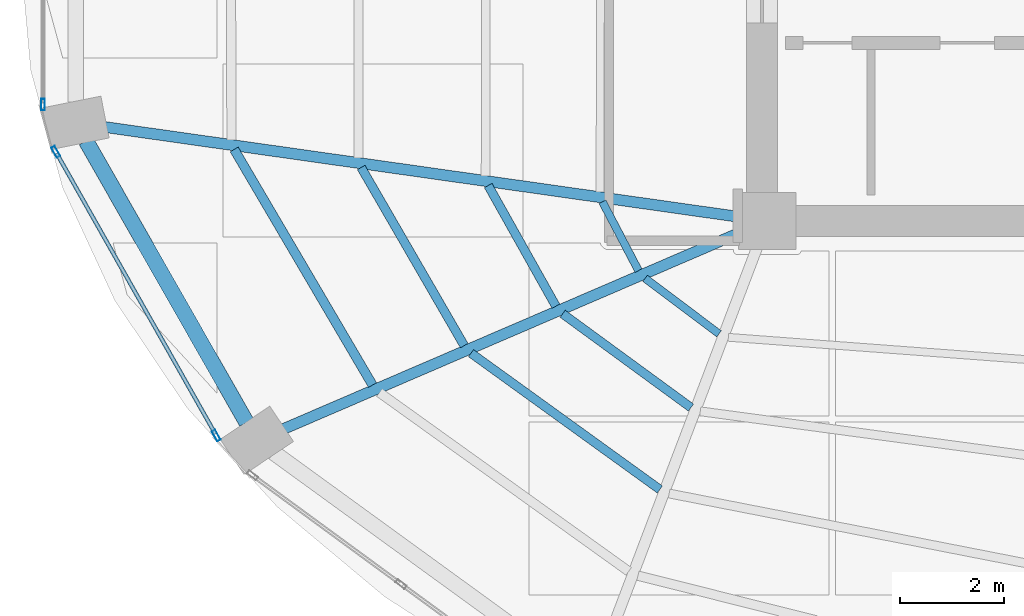
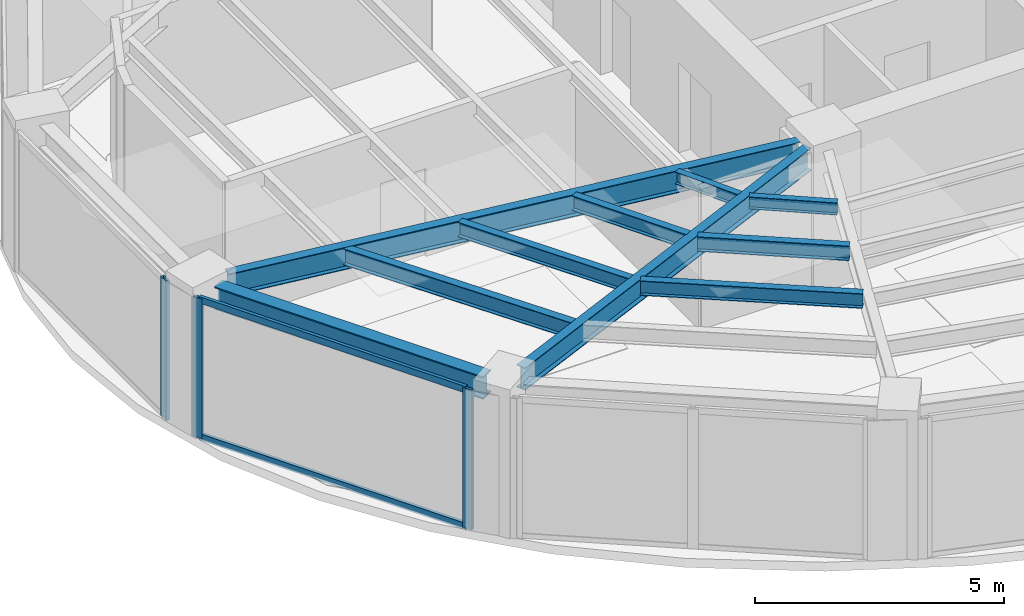
# One storey, part 3 of 20: 10 beams, 5 members, 2 elements without a shape of their own.
"""IFC4 building model written with IfcOpenShell, lengths in metres."""

from ifc_helpers import new_model, si_unit, direction, frame, origin, origin_2d, place, context, subcontext, project, spatial, hollow_rectangle, i_section, extrude, material, layer, layer_set, material_profile, profile_set, type_object, element, aggregate, save


model = new_model("IFC4")

# Units and contexts
model_context = context("Model", 3, precision=1e-05, world=origin(), true_north=direction((0.0, 1.0)))
body_context = subcontext(model_context, "Body", "Model", "MODEL_VIEW")
ifc_project = project(units=[si_unit("LENGTHUNIT", "METRE"), si_unit("AREAUNIT", "SQUARE_METRE"), si_unit("VOLUMEUNIT", "CUBIC_METRE"), si_unit("PLANEANGLEUNIT", "RADIAN"), si_unit("MASSUNIT", "GRAM", prefix="KILO")], contexts=[model_context])

# Site, building, storey
site_placement = place(None, origin())
site = spatial("IfcSite", under=ifc_project, at=site_placement, CompositionType="ELEMENT")
building_placement = place(site_placement, origin())
building = spatial("IfcBuilding", under=site, at=building_placement, Name="Lazwardi Medical Tower", CompositionType="ELEMENT")
storey_placement = place(building_placement, frame((0.0, 0.0, 160.176025390625)))
storey = spatial("IfcBuildingStorey", under=building, at=storey_placement, Name="L41", CompositionType="ELEMENT", Elevation=160.176025390625)

# Beams
ifc_material_1 = material(Name="Steel S355", Category="steel")
ifc_material_profile_1 = material_profile(ifc_material_1, i_section(OverallWidth=0.300048828125, OverallDepth=0.550048828125, WebThickness=0.014892578125, FlangeThickness=0.029052734375, at=origin_2d()), Name="HEB 550")
ifc_profile_set_1 = profile_set([ifc_material_profile_1], Name="Steel S355")
beam_type_1 = type_object("IfcBeamType", Name="BM-RB-Z3", PredefinedType="BEAM", material=ifc_profile_set_1)
beam_1_placement = place(storey_placement, frame((13.272216796875, 21.94091796875, 3.153076171875), z_axis=(0.495460926326, -0.868630226554, 0.0), x_axis=(0.868630226554, 0.495460926326, 0.0)))
element("IfcBeam", 1, at=beam_1_placement, inside=storey, type_object=beam_type_1, Name="Ring beam RB-04 B13 L41", PredefinedType="BEAM", context=body_context, shape_type="SweptSolid", body=[
    extrude(i_section(OverallWidth=0.300048828125, OverallDepth=0.550048828125, WebThickness=0.014892578125, FlangeThickness=0.029052734375, at=origin_2d()), origin(), (0.0, 0.0, 1.0), 6.24462890625),
])
ifc_material_profile_2 = material_profile(ifc_material_1, i_section(OverallWidth=0.2099609375, OverallDepth=0.550048828125, WebThickness=0.010986328125, FlangeThickness=0.01708984375, at=origin_2d()), Name="IPE 550")
ifc_profile_set_2 = profile_set([ifc_material_profile_2], Name="Steel S355")
beam_type_2 = type_object("IfcBeamType", Name="BM-RG-W2", PredefinedType="BEAM", material=ifc_profile_set_2)
beam_2_placement = place(storey_placement, frame((13.628662109375, 22.209716796875, 3.153076171875), z_axis=(0.99010958763, -0.140296131389, 0.0), x_axis=(0.140296131389, 0.99010958763, 0.0)))
element("IfcBeam", 2, at=beam_2_placement, inside=storey, type_object=beam_type_2, Name="Radial girder RG-03 R13 L41", PredefinedType="BEAM", context=body_context, shape_type="SweptSolid", body=[
    extrude(i_section(OverallWidth=0.2099609375, OverallDepth=0.550048828125, WebThickness=0.010986328125, FlangeThickness=0.01708984375, at=origin_2d()), origin(), (0.0, 0.0, 1.0), 12.364013671875),
])
beam_3_placement = place(storey_placement, frame((17.078857421875, 16.390380859375, 3.153076171875), z_axis=(0.918608156288, 0.395169653695, 0.0), x_axis=(-0.395169653695, 0.918608156288, 0.0)))
element("IfcBeam", 3, at=beam_3_placement, inside=storey, type_object=beam_type_2, Name="Radial girder RG-03 R14 L41", PredefinedType="BEAM", context=body_context, shape_type="SweptSolid", body=[
    extrude(i_section(OverallWidth=0.2099609375, OverallDepth=0.550048828125, WebThickness=0.010986328125, FlangeThickness=0.01708984375, at=origin_2d()), origin(), (0.0, 0.0, 1.0), 9.61181640625),
])
ifc_material_profile_3 = material_profile(ifc_material_1, i_section(OverallWidth=0.179931640625, OverallDepth=0.39990234375, WebThickness=0.008544921875, FlangeThickness=0.013427734375, at=origin_2d()), Name="IPE 400")
ifc_profile_set_3 = profile_set([ifc_material_profile_3], Name="Steel S355")
beam_type_3 = type_object("IfcBeamType", Name="BM-SJ-01", PredefinedType="JOIST", material=ifc_profile_set_3)
beam_4_placement = place(storey_placement, frame((16.127685546875, 21.776611328125, 3.22802734375), z_axis=(0.506420212881, -0.862286824662, 0.0), x_axis=(0.862286824662, 0.506420212881, 0.0)))
element("IfcBeam", 4, at=beam_4_placement, inside=storey, type_object=beam_type_3, Name="Secondary joist SJ-01 R1 B13 L41", PredefinedType="JOIST", context=body_context, shape_type="SweptSolid", body=[
    extrude(i_section(OverallWidth=0.179931640625, OverallDepth=0.39990234375, WebThickness=0.008544921875, FlangeThickness=0.013427734375, at=origin_2d()), origin(), (0.0, 0.0, 1.0), 5.265380859375),
])
ifc_material_profile_4 = material_profile(ifc_material_1, i_section(OverallWidth=0.169921875, OverallDepth=0.360107421875, WebThickness=0.008056640625, FlangeThickness=0.0126953125, at=origin_2d()), Name="IPE 360")
ifc_profile_set_4 = profile_set([ifc_material_profile_4], Name="Steel S355")
beam_type_4 = type_object("IfcBeamType", Name="BM-SJ-02", PredefinedType="JOIST", material=ifc_profile_set_4)
beam_5_placement = place(storey_placement, frame((18.5751953125, 21.42919921875, 3.248046875), z_axis=(0.500640648605, -0.865655209055, 0.0), x_axis=(0.865655209055, 0.500640648605, 0.0)))
element("IfcBeam", 5, at=beam_5_placement, inside=storey, type_object=beam_type_4, Name="Secondary joist SJ-02 R2 B13 L41", PredefinedType="JOIST", context=body_context, shape_type="SweptSolid", body=[
    extrude(i_section(OverallWidth=0.169921875, OverallDepth=0.360107421875, WebThickness=0.008056640625, FlangeThickness=0.0126953125, at=origin_2d()), origin(), (0.0, 0.0, 1.0), 3.965576171875),
])
beam_6_placement = place(storey_placement, frame((20.69189453125, 17.851318359375, 3.248046875), z_axis=(0.810738039179, -0.585409114917, 0.0), x_axis=(0.585409114917, 0.810738039179, 0.0)))
element("IfcBeam", 6, at=beam_6_placement, inside=storey, type_object=beam_type_4, Name="Secondary joist SJ-02 R2 B14 L41", PredefinedType="JOIST", context=body_context, shape_type="SweptSolid", body=[
    extrude(i_section(OverallWidth=0.169921875, OverallDepth=0.360107421875, WebThickness=0.008056640625, FlangeThickness=0.0126953125, at=origin_2d()), origin(), (0.0, 0.0, 1.0), 4.48779296875),
])
beam_7_placement = place(storey_placement, frame((21.022705078125, 21.081787109375, 3.248046875), z_axis=(0.489408945026, -0.872054404569, 0.0), x_axis=(0.872054404569, 0.489408945026, 0.0)))
element("IfcBeam", 7, at=beam_7_placement, inside=storey, type_object=beam_type_4, Name="Secondary joist SJ-02 R3 B13 L41", PredefinedType="JOIST", context=body_context, shape_type="SweptSolid", body=[
    extrude(i_section(OverallWidth=0.169921875, OverallDepth=0.360107421875, WebThickness=0.008056640625, FlangeThickness=0.0126953125, at=origin_2d()), origin(), (0.0, 0.0, 1.0), 2.666259765625),
])
beam_8_placement = place(storey_placement, frame((22.45751953125, 18.6103515625, 3.248046875), z_axis=(0.807285959008, -0.590160470033, 0.0), x_axis=(0.590160470033, 0.807285959008, 0.0)))
element("IfcBeam", 8, at=beam_8_placement, inside=storey, type_object=beam_type_4, Name="Secondary joist SJ-02 R3 B14 L41", PredefinedType="JOIST", context=body_context, shape_type="SweptSolid", body=[
    extrude(i_section(OverallWidth=0.169921875, OverallDepth=0.360107421875, WebThickness=0.008056640625, FlangeThickness=0.0126953125, at=origin_2d()), origin(), (0.0, 0.0, 1.0), 3.06298828125),
])
ifc_material_profile_5 = material_profile(ifc_material_1, i_section(OverallWidth=0.14990234375, OverallDepth=0.300048828125, WebThickness=0.007080078125, FlangeThickness=0.0107421875, at=origin_2d()), Name="IPE 300")
ifc_profile_set_5 = profile_set([ifc_material_profile_5], Name="Steel S355")
beam_type_5 = type_object("IfcBeamType", Name="BM-SJ-03", PredefinedType="JOIST", material=ifc_profile_set_5)
beam_9_placement = place(storey_placement, frame((23.2236328125, 20.768310546875, 3.278076171875), z_axis=(0.464469748171, -0.885588986513, 0.0), x_axis=(0.885588986513, 0.464469748171, 0.0)))
element("IfcBeam", 9, at=beam_9_placement, inside=storey, type_object=beam_type_5, Name="Secondary joist SJ-03 R4 B13 L41", PredefinedType="JOIST", context=body_context, shape_type="SweptSolid", body=[
    extrude(i_section(OverallWidth=0.14990234375, OverallDepth=0.300048828125, WebThickness=0.007080078125, FlangeThickness=0.0107421875, at=origin_2d()), origin(), (0.0, 0.0, 1.0), 1.498046875),
])
beam_10_placement = place(storey_placement, frame((24.0458984375, 19.29296875, 3.278076171875), z_axis=(0.799884834751, -0.600153522972, 0.0), x_axis=(0.600153522972, 0.799884834751, 0.0)))
element("IfcBeam", 10, at=beam_10_placement, inside=storey, type_object=beam_type_5, Name="Secondary joist SJ-03 R4 B14 L41", PredefinedType="JOIST", context=body_context, shape_type="SweptSolid", body=[
    extrude(i_section(OverallWidth=0.14990234375, OverallDepth=0.300048828125, WebThickness=0.007080078125, FlangeThickness=0.0107421875, at=origin_2d()), origin(), (0.0, 0.0, 1.0), 1.781005859375),
])

# Curtain wall, member
ifc_material_2 = material(Name="Anodised bronze aluminium and solar control glazing", Category="aluminium")
ifc_layer = layer(ifc_material_2, 0.195068359375)
ifc_layer_set = layer_set([ifc_layer], Name="Anodised bronze aluminium and solar control glazing")
curtain_wall_type = type_object("IfcCurtainWallType", Name="CW-SYS-03", PredefinedType="NOTDEFINED", material=ifc_layer_set)
curtain_wall_1_placement = place(storey_placement, origin())
curtain_wall_1 = element("IfcCurtainWall", 11, at=curtain_wall_1_placement, inside=storey, type_object=curtain_wall_type, Name="L41 Unitised bronze curtain wall CW-03", PredefinedType="NOTDEFINED")
ifc_material_3 = material(Name="Anodised bronze aluminium", Category="aluminium")
ifc_material_profile_6 = material_profile(ifc_material_3, hollow_rectangle(XDim=0.074951171875, YDim=0.219970703125, WallThickness=0.00390625, at=origin_2d()), Name="ALU-MULLION 220x75x4")
ifc_profile_set_6 = profile_set([ifc_material_profile_6], Name="Anodised bronze aluminium")
member_type_1 = type_object("IfcMemberType", Name="CW-MUL-01", PredefinedType="MULLION", material=ifc_profile_set_6)
member_1_placement = place(storey_placement, frame((12.4423828125, 22.64208984375, 0.0), z_axis=(0.0, 0.0, 1.0), x_axis=(1.0, 0.0, 0.0)))
member_1 = element("IfcMember", 12, at=member_1_placement, type_object=member_type_1, Name="CW-03 mullion 2", PredefinedType="MULLION", context=body_context, shape_type="SweptSolid", body=[
    extrude(hollow_rectangle(XDim=0.074951171875, YDim=0.219970703125, WallThickness=0.00390625, at=origin_2d()), origin(), (0.0, 0.0, 1.0), 3.427978515625),
])
aggregate(curtain_wall_1, [member_1])

# Curtain wall, members
curtain_wall_2_placement = place(storey_placement, origin())
curtain_wall_2 = element("IfcCurtainWall", 13, at=curtain_wall_2_placement, inside=storey, type_object=curtain_wall_type, Name="L41 Unitised bronze curtain wall CW-03", PredefinedType="NOTDEFINED")
member_2_placement = place(storey_placement, frame((12.68896484375, 21.732666015625, 0.0), z_axis=(0.0, 0.0, 1.0), x_axis=(0.870418989303, 0.492311672683, 0.0)))
member_2 = element("IfcMember", 14, at=member_2_placement, type_object=member_type_1, Name="CW-03 mullion 1", PredefinedType="MULLION", context=body_context, shape_type="SweptSolid", body=[
    extrude(hollow_rectangle(XDim=0.074951171875, YDim=0.219970703125, WallThickness=0.00390625, at=origin_2d()), origin(), (0.0, 0.0, 1.0), 3.427978515625),
])
member_3_placement = place(storey_placement, frame((15.782470703125, 16.26318359375, 0.0), z_axis=(0.0, 0.0, 1.0), x_axis=(0.870418989303, 0.492311672683, 0.0)))
member_3 = element("IfcMember", 15, at=member_3_placement, type_object=member_type_1, Name="CW-03 mullion 2", PredefinedType="MULLION", context=body_context, shape_type="SweptSolid", body=[
    extrude(hollow_rectangle(XDim=0.074951171875, YDim=0.219970703125, WallThickness=0.00390625, at=origin_2d()), origin(), (0.0, 0.0, 1.0), 3.427978515625),
])
ifc_material_profile_7 = material_profile(ifc_material_3, hollow_rectangle(XDim=0.074951171875, YDim=0.159912109375, WallThickness=0.00390625, at=origin_2d()), Name="ALU-TRANSOM 160x75x4")
ifc_profile_set_7 = profile_set([ifc_material_profile_7], Name="Anodised bronze aluminium")
member_type_2 = type_object("IfcMemberType", Name="CW-TRN-01", PredefinedType="USERDEFINED", material=ifc_profile_set_7)
member_4_placement = place(storey_placement, frame((12.707275390625, 21.7001953125, 0.037353515625), z_axis=(0.492306010269, -0.870422191958, 0.0), x_axis=(0.870422191958, 0.492306010269, 0.0)))
member_4 = element("IfcMember", 16, at=member_4_placement, type_object=member_type_2, Name="CW-03 transom 1.1", ObjectType="TRANSOM", PredefinedType="USERDEFINED", context=body_context, shape_type="SweptSolid", body=[
    extrude(hollow_rectangle(XDim=0.074951171875, YDim=0.159912109375, WallThickness=0.00390625, at=origin_2d()), origin(), (0.0, 0.0, 1.0), 6.208740234375),
])
member_5_placement = place(storey_placement, frame((12.707275390625, 21.7001953125, 3.390380859375), z_axis=(0.492306010269, -0.870422191958, 0.0), x_axis=(0.870422191958, 0.492306010269, 0.0)))
member_5 = element("IfcMember", 17, at=member_5_placement, type_object=member_type_2, Name="CW-03 transom 1.2", ObjectType="TRANSOM", PredefinedType="USERDEFINED", context=body_context, shape_type="SweptSolid", body=[
    extrude(hollow_rectangle(XDim=0.074951171875, YDim=0.159912109375, WallThickness=0.00390625, at=origin_2d()), origin(), (0.0, 0.0, 1.0), 6.208740234375),
])
aggregate(curtain_wall_2, [member_2, member_3, member_4, member_5])

save(model, "model.ifc")
